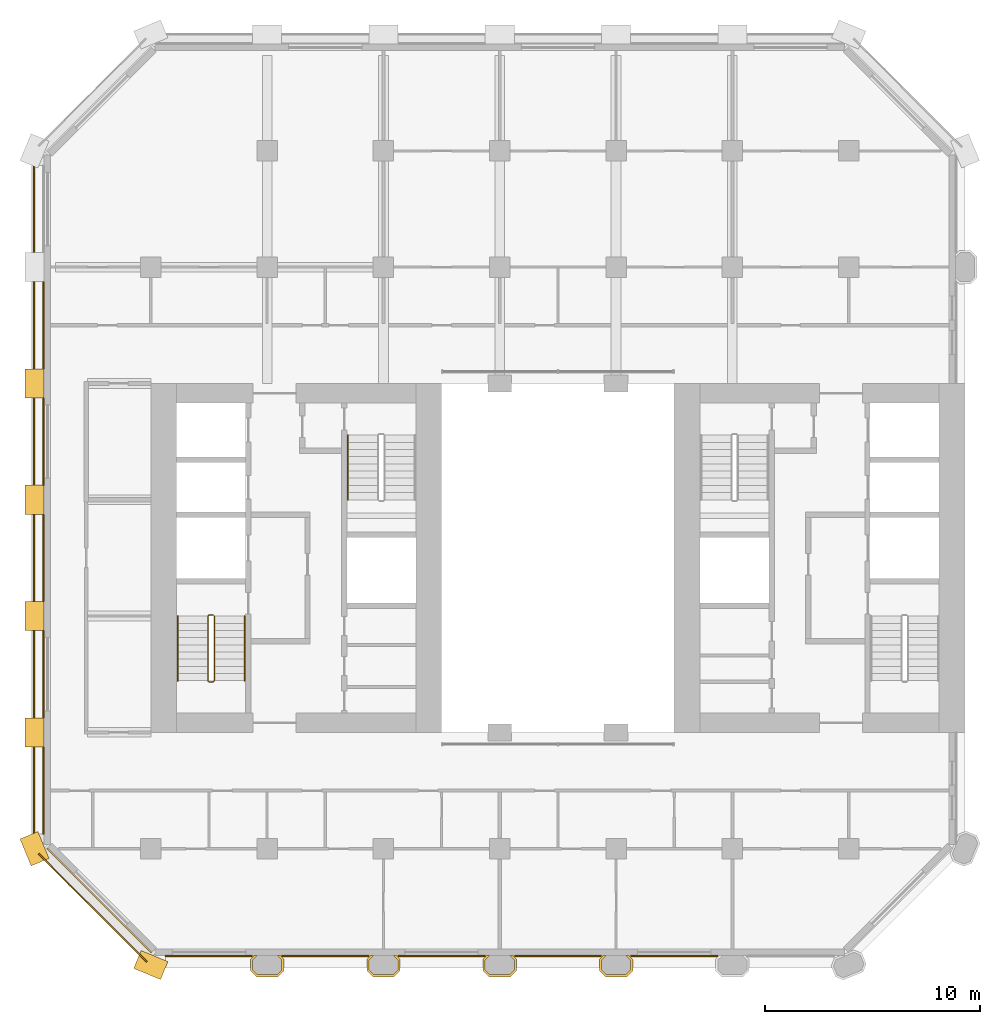
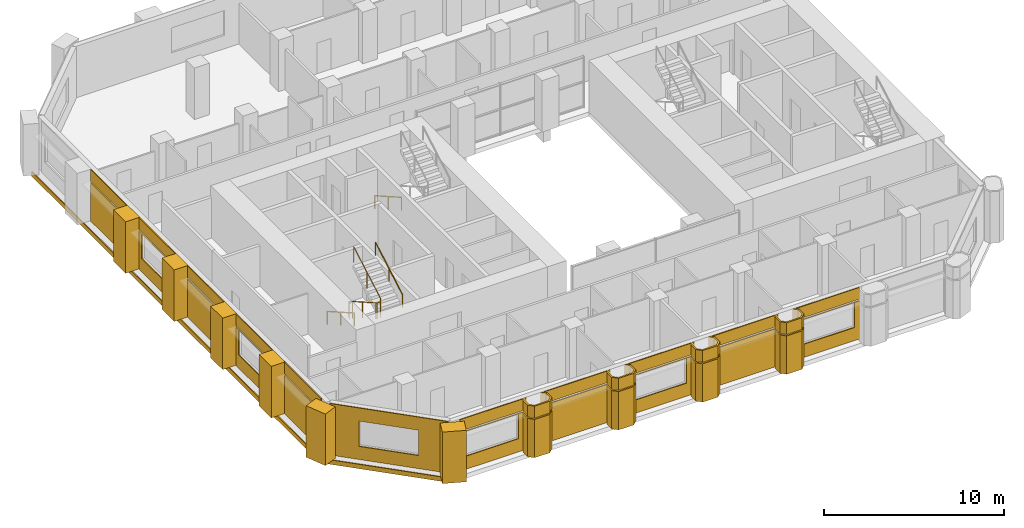
# One storey, part 11 of 13: 37 coverings, 4 railings.
"""IFC4 building model written with IfcOpenShell, lengths in metres."""

from ifc_helpers import new_model, si_unit, direction, frame, frame_2d, origin, origin_2d, place, context, subcontext, project, spatial, polyline, rectangle, circle, outline, extrude, material, layer, layer_set, type_object, element, save


model = new_model("IFC4")

# Units and contexts
model_context = context("Model", 3, precision=1e-05, world=origin(), true_north=direction((0.0, 1.0)))
body_context = subcontext(model_context, "Body", "Model", "MODEL_VIEW")
ifc_project = project(units=[si_unit("LENGTHUNIT", "METRE"), si_unit("AREAUNIT", "SQUARE_METRE"), si_unit("VOLUMEUNIT", "CUBIC_METRE"), si_unit("PLANEANGLEUNIT", "RADIAN"), si_unit("MASSUNIT", "GRAM", prefix="KILO")], contexts=[model_context])

# Site, building, storey
site_placement = place(None, origin())
site = spatial("IfcSite", under=ifc_project, at=site_placement, CompositionType="ELEMENT")
building_placement = place(site_placement, origin())
building = spatial("IfcBuilding", under=site, at=building_placement, Name="Tabaq Tower and Sports Hall", CompositionType="ELEMENT")
storey_placement = place(building_placement, frame((0.0, 0.0, 118.199951171875)))
storey = spatial("IfcBuildingStorey", under=building, at=storey_placement, Name="L28", CompositionType="ELEMENT", Elevation=118.199951171875)

# Coverings
ifc_material_1 = material(Name="Precast concrete C60/75", Category="concrete")
ifc_layer_1 = layer(ifc_material_1, 0.10009765625)
ifc_layer_set_1 = layer_set([ifc_layer_1], Name="Column cladding 100")
covering_type_1 = type_object("IfcCoveringType", Name="Column cladding 100", PredefinedType="CLADDING", material=ifc_layer_set_1)
covering_1_placement = place(storey_placement, origin())
element("IfcCovering", 1, at=covering_1_placement, inside=storey, type_object=covering_type_1, Name="Column cladding L28 PC-3B-O3", PredefinedType="CLADDING", context=body_context, shape_type="SweptSolid", body=[
    extrude(outline(polyline([(10.025390625, 5.666259765625), (10.208740234375, 5.849609375), (10.349365234375, 5.849609375), (10.124755859375, 5.625244140625), (10.124755859375, 5.1748046875), (10.349853515625, 4.94970703125), (11.250244140625, 4.94970703125), (11.475341796875, 5.1748046875), (11.475341796875, 5.625244140625), (11.250732421875, 5.849609375), (11.391357421875, 5.849609375), (11.57470703125, 5.666259765625), (11.57470703125, 5.1337890625), (11.291259765625, 4.850341796875), (10.30859375, 4.850341796875), (10.025390625, 5.1337890625), (10.025390625, 5.666259765625)])), origin(), (0.0, 0.0, 1.0), 2.60009765625),
])
covering_2_placement = place(storey_placement, frame((0.0, 0.0, 2.699951171875)))
element("IfcCovering", 2, at=covering_2_placement, inside=storey, type_object=covering_type_1, Name="Column cladding L28 PC-3B-O3 2", PredefinedType="CLADDING", context=body_context, shape_type="SweptSolid", body=[
    extrude(outline(polyline([(10.025390625, 5.666259765625), (10.208740234375, 5.849609375), (10.349365234375, 5.849609375), (10.124755859375, 5.625244140625), (10.124755859375, 5.1748046875), (10.349853515625, 4.94970703125), (11.250244140625, 4.94970703125), (11.475341796875, 5.1748046875), (11.475341796875, 5.625244140625), (11.250732421875, 5.849609375), (11.391357421875, 5.849609375), (11.57470703125, 5.666259765625), (11.57470703125, 5.1337890625), (11.291259765625, 4.850341796875), (10.30859375, 4.850341796875), (10.025390625, 5.1337890625), (10.025390625, 5.666259765625)])), origin(), (0.0, 0.0, 1.0), 0.800048828125),
])
covering_3_placement = place(storey_placement, origin())
element("IfcCovering", 3, at=covering_3_placement, inside=storey, type_object=covering_type_1, Name="Column cladding L28 PC-4B-O3", PredefinedType="CLADDING", context=body_context, shape_type="SweptSolid", body=[
    extrude(outline(polyline([(15.42529296875, 5.666259765625), (15.608642578125, 5.849609375), (15.749267578125, 5.849609375), (15.524658203125, 5.625244140625), (15.524658203125, 5.1748046875), (15.749755859375, 4.94970703125), (16.650146484375, 4.94970703125), (16.875244140625, 5.1748046875), (16.875244140625, 5.625244140625), (16.650634765625, 5.849609375), (16.791259765625, 5.849609375), (16.974609375, 5.666259765625), (16.974609375, 5.1337890625), (16.69140625, 4.850341796875), (15.708740234375, 4.850341796875), (15.42529296875, 5.1337890625), (15.42529296875, 5.666259765625)])), origin(), (0.0, 0.0, 1.0), 2.60009765625),
])
covering_4_placement = place(storey_placement, frame((0.0, 0.0, 2.699951171875)))
element("IfcCovering", 4, at=covering_4_placement, inside=storey, type_object=covering_type_1, Name="Column cladding L28 PC-4B-O3 2", PredefinedType="CLADDING", context=body_context, shape_type="SweptSolid", body=[
    extrude(outline(polyline([(15.42529296875, 5.666259765625), (15.608642578125, 5.849609375), (15.749267578125, 5.849609375), (15.524658203125, 5.625244140625), (15.524658203125, 5.1748046875), (15.749755859375, 4.94970703125), (16.650146484375, 4.94970703125), (16.875244140625, 5.1748046875), (16.875244140625, 5.625244140625), (16.650634765625, 5.849609375), (16.791259765625, 5.849609375), (16.974609375, 5.666259765625), (16.974609375, 5.1337890625), (16.69140625, 4.850341796875), (15.708740234375, 4.850341796875), (15.42529296875, 5.1337890625), (15.42529296875, 5.666259765625)])), origin(), (0.0, 0.0, 1.0), 0.800048828125),
])
covering_5_placement = place(storey_placement, origin())
element("IfcCovering", 5, at=covering_5_placement, inside=storey, type_object=covering_type_1, Name="Column cladding L28 PC-5B-O3", PredefinedType="CLADDING", context=body_context, shape_type="SweptSolid", body=[
    extrude(outline(polyline([(20.8251953125, 5.666259765625), (21.0087890625, 5.849609375), (21.149169921875, 5.849609375), (20.9248046875, 5.625244140625), (20.9248046875, 5.1748046875), (21.14990234375, 4.94970703125), (22.050048828125, 4.94970703125), (22.275390625, 5.1748046875), (22.275390625, 5.625244140625), (22.05078125, 5.849609375), (22.19140625, 5.849609375), (22.374755859375, 5.666259765625), (22.374755859375, 5.1337890625), (22.09130859375, 4.850341796875), (21.108642578125, 4.850341796875), (20.8251953125, 5.1337890625), (20.8251953125, 5.666259765625)])), origin(), (0.0, 0.0, 1.0), 2.60009765625),
])
covering_6_placement = place(storey_placement, frame((0.0, 0.0, 2.699951171875)))
element("IfcCovering", 6, at=covering_6_placement, inside=storey, type_object=covering_type_1, Name="Column cladding L28 PC-5B-O3 2", PredefinedType="CLADDING", context=body_context, shape_type="SweptSolid", body=[
    extrude(outline(polyline([(20.8251953125, 5.666259765625), (21.0087890625, 5.849609375), (21.149169921875, 5.849609375), (20.9248046875, 5.625244140625), (20.9248046875, 5.1748046875), (21.14990234375, 4.94970703125), (22.050048828125, 4.94970703125), (22.275390625, 5.1748046875), (22.275390625, 5.625244140625), (22.05078125, 5.849609375), (22.19140625, 5.849609375), (22.374755859375, 5.666259765625), (22.374755859375, 5.1337890625), (22.09130859375, 4.850341796875), (21.108642578125, 4.850341796875), (20.8251953125, 5.1337890625), (20.8251953125, 5.666259765625)])), origin(), (0.0, 0.0, 1.0), 0.800048828125),
])
covering_7_placement = place(storey_placement, origin())
element("IfcCovering", 7, at=covering_7_placement, inside=storey, type_object=covering_type_1, Name="Column cladding L28 PC-6B-O3", PredefinedType="CLADDING", context=body_context, shape_type="SweptSolid", body=[
    extrude(outline(polyline([(26.225341796875, 5.666259765625), (26.40869140625, 5.849609375), (26.54931640625, 5.849609375), (26.32470703125, 5.625244140625), (26.32470703125, 5.1748046875), (26.5498046875, 4.94970703125), (27.4501953125, 4.94970703125), (27.67529296875, 5.1748046875), (27.67529296875, 5.625244140625), (27.45068359375, 5.849609375), (27.59130859375, 5.849609375), (27.774658203125, 5.666259765625), (27.774658203125, 5.1337890625), (27.4912109375, 4.850341796875), (26.5087890625, 4.850341796875), (26.225341796875, 5.1337890625), (26.225341796875, 5.666259765625)])), origin(), (0.0, 0.0, 1.0), 2.60009765625),
])
covering_8_placement = place(storey_placement, frame((0.0, 0.0, 2.699951171875)))
element("IfcCovering", 8, at=covering_8_placement, inside=storey, type_object=covering_type_1, Name="Column cladding L28 PC-6B-O3 2", PredefinedType="CLADDING", context=body_context, shape_type="SweptSolid", body=[
    extrude(outline(polyline([(26.225341796875, 5.666259765625), (26.40869140625, 5.849609375), (26.54931640625, 5.849609375), (26.32470703125, 5.625244140625), (26.32470703125, 5.1748046875), (26.5498046875, 4.94970703125), (27.4501953125, 4.94970703125), (27.67529296875, 5.1748046875), (27.67529296875, 5.625244140625), (27.45068359375, 5.849609375), (27.59130859375, 5.849609375), (27.774658203125, 5.666259765625), (27.774658203125, 5.1337890625), (27.4912109375, 4.850341796875), (26.5087890625, 4.850341796875), (26.225341796875, 5.1337890625), (26.225341796875, 5.666259765625)])), origin(), (0.0, 0.0, 1.0), 0.800048828125),
])
ifc_material_2 = material(Name="Precast concrete C60/75", Category="concrete")
ifc_layer_2 = layer(ifc_material_2, 0.06005859375)
ifc_layer_set_2 = layer_set([ifc_layer_2], Name="Edge beam cladding 60")
covering_type_2 = type_object("IfcCoveringType", Name="Edge beam cladding 60", PredefinedType="CLADDING", material=ifc_layer_set_2)
covering_9_placement = place(storey_placement, frame((-0.030029296875, 42.9013671875, -0.300048828125), z_axis=(0.0, 0.0, 1.0), x_axis=(0.0, -1.0, 0.0)))
element("IfcCovering", 9, at=covering_9_placement, inside=storey, type_object=covering_type_2, Name="Edge beam cladding L28 4", PredefinedType="CLADDING", context=body_context, shape_type="SweptSolid", body=[
    extrude(rectangle(XDim=31.802734375, YDim=0.06005859375, at=frame_2d((15.9013671875, 0.0))), origin(), (0.0, 0.0, 1.0), 0.300048828125),
])
covering_10_placement = place(storey_placement, frame((0.18994140625, 10.567626953125, -0.300048828125), z_axis=(0.0, 0.0, 1.0), x_axis=(0.707106781187, -0.707106781187, 0.0)))
element("IfcCovering", 10, at=covering_10_placement, inside=storey, type_object=covering_type_2, Name="Edge beam cladding L28 5", PredefinedType="CLADDING", context=body_context, shape_type="SweptSolid", body=[
    extrude(rectangle(XDim=7.087890625, YDim=0.06005859375, at=frame_2d((3.5439453125, 0.0))), origin(), (0.0, 0.0, 1.0), 0.300048828125),
])
ifc_material_3 = material(Name="White precast concrete C60/75", Category="concrete")
covering_type_3 = type_object("IfcCoveringType", Name="Pier cladding hung 1350x900", PredefinedType="CLADDING", material=ifc_material_3)
for number, where, z_axis, x_axis, name in (
    (11, (-0.25830078125, 11.423583984375, 0.0), (0.0, 0.0, 1.0), (0.382649923473, -0.923893411637, 0.0), "Hung pier cladding 0/2"),
    (12, (0.0, 16.875, 0.0), (0.0, 0.0, 1.0), (0.0, -1.0, 0.0), "Hung pier cladding 0/3"),
):
    element("IfcCovering", number, at=place(storey_placement, frame(where, z_axis=z_axis, x_axis=x_axis)), inside=storey, type_object=covering_type_3, Name=name, PredefinedType="CLADDING", context=body_context, shape_type="SweptSolid", body=[
        extrude(rectangle(XDim=1.35009765625, YDim=0.89990234375, at=frame_2d((0.675048828125, 0.0))), origin(), (0.0, 0.0, 1.0), 3.5),
    ])
covering_11_placement = place(storey_placement, frame((0.0, 22.27490234375, 0.0), z_axis=(0.0, 0.0, 1.0), x_axis=(0.0, -1.0, 0.0)))
element("IfcCovering", 13, at=covering_11_placement, inside=storey, type_object=covering_type_3, Name="Hung pier cladding 0/4", PredefinedType="CLADDING", context=body_context, shape_type="SweptSolid", body=[
    extrude(rectangle(XDim=1.349853515625, YDim=0.89990234375, at=frame_2d((0.6748046875, 0.0))), origin(), (0.0, 0.0, 1.0), 3.5),
])
covering_12_placement = place(storey_placement, frame((0.0, 27.675048828125, 0.0), z_axis=(0.0, 0.0, 1.0), x_axis=(0.0, -1.0, 0.0)))
element("IfcCovering", 14, at=covering_12_placement, inside=storey, type_object=covering_type_3, Name="Hung pier cladding 0/5", PredefinedType="CLADDING", context=body_context, shape_type="SweptSolid", body=[
    extrude(rectangle(XDim=1.35009765625, YDim=0.89990234375, at=frame_2d((0.675048828125, 0.0))), origin(), (0.0, 0.0, 1.0), 3.5),
])
covering_13_placement = place(storey_placement, frame((0.0, 33.074951171875, 0.0), z_axis=(0.0, 0.0, 1.0), x_axis=(0.0, -1.0, 0.0)))
element("IfcCovering", 15, at=covering_13_placement, inside=storey, type_object=covering_type_3, Name="Hung pier cladding 0/6", PredefinedType="CLADDING", context=body_context, shape_type="SweptSolid", body=[
    extrude(rectangle(XDim=1.349853515625, YDim=0.89990234375, at=frame_2d((0.6748046875, 0.0))), origin(), (0.0, 0.0, 1.0), 3.5),
])
covering_14_placement = place(storey_placement, frame((4.7763671875, 5.658203125, 0.0), z_axis=(0.0, 0.0, 1.0), x_axis=(0.923893411637, -0.382649923473, 0.0)))
element("IfcCovering", 16, at=covering_14_placement, inside=storey, type_object=covering_type_3, Name="Hung pier cladding 1/1", PredefinedType="CLADDING", context=body_context, shape_type="SweptSolid", body=[
    extrude(rectangle(XDim=1.35009765625, YDim=0.89990234375, at=frame_2d((0.675048828125, 0.0))), origin(), (0.0, 0.0, 1.0), 3.5),
])

# Railings
ifc_material_4 = material(Name="Stainless steel", Category="steel")
railing_type_1 = type_object("IfcRailingType", Name="Stair guard", PredefinedType="GUARDRAIL", material=ifc_material_4)
railing_1_placement = place(storey_placement, frame((8.300048828125, 21.64990234375, 0.0)))
element("IfcRailing", 17, at=railing_1_placement, inside=storey, type_object=railing_type_1, Name="L28 ST1 stair guard 1", PredefinedType="GUARDRAIL", context=body_context, shape_type="SweptSolid", body=[
    extrude(circle(Radius=0.02392578125, at=origin_2d()), frame((0.0, 0.0, 1.076171875), z_axis=(-1.0, 0.0, 0.0), x_axis=(0.0, -1.0, 0.0)), (0.0, 0.0, 1.0), 0.199951171875),
    extrude(circle(Radius=0.02392578125, at=origin_2d()), frame((-0.199951171875, 0.0, 1.076171875), z_axis=(-0.246983470365, -0.245778672949, 0.937332389972), x_axis=(0.705375805398, -0.708833529934, 0.0)), (0.0, 0.0, 1.0), 0.20263671875),
    extrude(circle(Radius=0.02392578125, at=origin_2d()), frame((-0.25, -0.0498046875, 1.26611328125), z_axis=(0.0, -0.868751719353, 0.495247867356), x_axis=(1.0, 0.0, 0.0)), (0.0, 0.0, 1.0), 3.453125),
    extrude(circle(Radius=0.02392578125, at=origin_2d()), frame((-0.25, -3.0498046875, 2.97607421875), z_axis=(0.707106781187, -0.707106781187, 0.0), x_axis=(0.707106781187, 0.707106781187, 0.0)), (0.0, 0.0, 1.0), 0.07080078125),
    extrude(circle(Radius=0.02392578125, at=origin_2d()), frame((-0.199951171875, -3.099853515625, 2.97607421875), z_axis=(1.0, 0.0, 0.0), x_axis=(0.0, 1.0, 0.0)), (0.0, 0.0, 1.0), 0.199951171875),
    extrude(circle(Radius=0.02392578125, at=origin_2d()), frame((0.0, -3.099853515625, 2.97607421875), z_axis=(0.246910188598, 0.246910188598, 0.937054276727), x_axis=(-0.707106781187, 0.707106781187, 0.0)), (0.0, 0.0, 1.0), 0.20263671875),
    extrude(circle(Radius=0.02392578125, at=origin_2d()), frame((0.050048828125, -3.0498046875, 3.166015625), z_axis=(0.0, 0.868782136927, 0.495194505781), x_axis=(-1.0, 0.0, 0.0)), (0.0, 0.0, 1.0), 3.453125),
    extrude(circle(Radius=0.02099609375, at=origin_2d()), origin(), (0.0, 0.0, 1.0), 1.052001953125),
    extrude(circle(Radius=0.02099609375, at=origin_2d()), frame((-0.199951171875, 0.0, 0.0)), (0.0, 0.0, 1.0), 1.052001953125),
    extrude(circle(Radius=0.02099609375, at=origin_2d()), frame((-0.25, -0.0498046875, 0.18994140625)), (0.0, 0.0, 1.0), 1.052001953125),
    extrude(circle(Radius=0.02099609375, at=origin_2d()), frame((-0.25, -1.5498046875, 1.044921875)), (0.0, 0.0, 1.0), 1.052001953125),
    extrude(circle(Radius=0.02099609375, at=origin_2d()), frame((-0.25, -3.0498046875, 1.900146484375)), (0.0, 0.0, 1.0), 1.052001953125),
    extrude(circle(Radius=0.02099609375, at=origin_2d()), frame((-0.199951171875, -3.099853515625, 1.900146484375)), (0.0, 0.0, 1.0), 1.052001953125),
    extrude(circle(Radius=0.02099609375, at=origin_2d()), frame((0.0, -3.099853515625, 1.900146484375)), (0.0, 0.0, 1.0), 1.052001953125),
    extrude(circle(Radius=0.02099609375, at=origin_2d()), frame((0.050048828125, -3.0498046875, 2.090087890625)), (0.0, 0.0, 1.0), 1.052001953125),
    extrude(circle(Radius=0.02099609375, at=origin_2d()), frame((0.050048828125, -1.5498046875, 2.945068359375)), (0.0, 0.0, 1.0), 1.052001953125),
    extrude(circle(Radius=0.02099609375, at=origin_2d()), frame((0.050048828125, -0.0498046875, 3.800048828125)), (0.0, 0.0, 1.0), 1.052001953125),
])
ifc_material_5 = material(Name="Stainless steel", Category="steel")
railing_type_2 = type_object("IfcRailingType", Name="Stair handrail", PredefinedType="HANDRAIL", material=ifc_material_5)
railing_2_placement = place(storey_placement, frame((6.64990234375, 21.60009765625, 0.18994140625)))
element("IfcRailing", 18, at=railing_2_placement, inside=storey, type_object=railing_type_2, Name="L28 ST1 stair handrail 1", PredefinedType="HANDRAIL", context=body_context, shape_type="SweptSolid", body=[
    extrude(circle(Radius=0.02392578125, at=origin_2d()), frame((0.0, 0.0, 0.8759765625), z_axis=(0.0, -0.868751719353, 0.495247867356), x_axis=(1.0, 0.0, 0.0)), (0.0, 0.0, 1.0), 3.453125),
    extrude(circle(Radius=0.02099609375, at=origin_2d()), origin(), (0.0, 0.0, 1.0), 0.851806640625),
    extrude(circle(Radius=0.02099609375, at=origin_2d()), frame((0.0, -1.5, 0.85498046875)), (0.0, 0.0, 1.0), 0.851806640625),
    extrude(circle(Radius=0.02099609375, at=origin_2d()), frame((0.0, -3.0, 1.710205078125)), (0.0, 0.0, 1.0), 0.851806640625),
])
railing_3_placement = place(storey_placement, frame((9.75, 18.60009765625, 2.090087890625)))
element("IfcRailing", 19, at=railing_3_placement, inside=storey, type_object=railing_type_2, Name="L28 ST1 stair handrail 2", PredefinedType="HANDRAIL", context=body_context, shape_type="SweptSolid", body=[
    extrude(circle(Radius=0.02392578125, at=origin_2d()), frame((0.0, 0.0, 0.8759765625), z_axis=(0.0, 0.868782136927, 0.495194505781), x_axis=(-1.0, 0.0, 0.0)), (0.0, 0.0, 1.0), 3.453125),
    extrude(circle(Radius=0.02099609375, at=origin_2d()), origin(), (0.0, 0.0, 1.0), 0.851806640625),
    extrude(circle(Radius=0.02099609375, at=origin_2d()), frame((0.0, 1.5, 0.85498046875)), (0.0, 0.0, 1.0), 0.851806640625),
    extrude(circle(Radius=0.02099609375, at=origin_2d()), frame((0.0, 3.0, 1.7099609375)), (0.0, 0.0, 1.0), 0.851806640625),
])
railing_4_placement = place(storey_placement, frame((14.550048828125, 30.0, 0.18994140625)))
element("IfcRailing", 20, at=railing_4_placement, inside=storey, type_object=railing_type_2, Name="L28 ST2 stair handrail 1", PredefinedType="HANDRAIL", context=body_context, shape_type="SweptSolid", body=[
    extrude(circle(Radius=0.02392578125, at=origin_2d()), frame((0.0, 0.0, 0.8759765625), z_axis=(0.0, -0.868751719353, 0.495247867356), x_axis=(1.0, 0.0, 0.0)), (0.0, 0.0, 1.0), 3.453125),
    extrude(circle(Radius=0.02099609375, at=origin_2d()), origin(), (0.0, 0.0, 1.0), 0.851806640625),
    extrude(circle(Radius=0.02099609375, at=origin_2d()), frame((0.0, -1.5, 0.85498046875)), (0.0, 0.0, 1.0), 0.851806640625),
    extrude(circle(Radius=0.02099609375, at=origin_2d()), frame((0.0, -3.0, 1.710205078125)), (0.0, 0.0, 1.0), 0.851806640625),
])

# Coverings
ifc_material_6 = material(Name="Precast concrete C60/75", Category="concrete")
ifc_layer_3 = layer(ifc_material_6, 0.06005859375)
ifc_layer_set_3 = layer_set([ifc_layer_3], Name="White precast cladding panel 60 C60/75")
covering_type_4 = type_object("IfcCoveringType", Name="White precast cladding panel 60 C60/75", PredefinedType="CLADDING", material=ifc_layer_set_3)
covering_15_placement = place(storey_placement, frame((6.06494140625, 5.820068359375, 0.0), z_axis=(0.0, 0.0, 1.0), x_axis=(1.0, 0.0, 0.0)))
element("IfcCovering", 21, at=covering_15_placement, inside=storey, type_object=covering_type_4, Name="White precast cladding panel L28 wall00", PredefinedType="CLADDING", context=body_context, shape_type="SweptSolid", body=[
    extrude(outline(polyline([(0.0, 0.0), (4.050048828125, 0.0), (4.050048828125, 2.590087890625), (0.0, 2.590087890625), (0.0, 0.0)]), holes=[polyline([(3.7451171875, 0.89013671875), (0.324951171875, 0.89013671875), (0.324951171875, 2.56005859375), (3.7451171875, 2.56005859375), (3.7451171875, 0.89013671875)])]), frame((0.0, 0.030029296875, 0.0), z_axis=(0.0, -1.0, 0.0), x_axis=(1.0, 0.0, 0.0)), (0.0, 0.0, 1.0), 0.06005859375),
])
covering_16_placement = place(storey_placement, frame((6.06494140625, 5.820068359375, 2.7099609375), z_axis=(0.0, 0.0, 1.0), x_axis=(1.0, 0.0, 0.0)))
element("IfcCovering", 22, at=covering_16_placement, inside=storey, type_object=covering_type_4, Name="White precast cladding panel L28 wall00 2", PredefinedType="CLADDING", context=body_context, shape_type="SweptSolid", body=[
    extrude(rectangle(XDim=4.050048828125, YDim=0.06005859375, at=frame_2d((2.02490234375, 0.0))), origin(), (0.0, 0.0, 1.0), 0.7900390625),
])
covering_17_placement = place(storey_placement, frame((11.485107421875, 5.820068359375, 0.0), z_axis=(0.0, 0.0, 1.0), x_axis=(1.0, 0.0, 0.0)))
element("IfcCovering", 23, at=covering_17_placement, inside=storey, type_object=covering_type_4, Name="White precast cladding panel L28 wall00 3", PredefinedType="CLADDING", context=body_context, shape_type="SweptSolid", body=[
    extrude(rectangle(XDim=4.02978515625, YDim=0.06005859375, at=frame_2d((2.014892578125, 0.0))), origin(), (0.0, 0.0, 1.0), 2.590087890625),
])
covering_18_placement = place(storey_placement, frame((11.485107421875, 5.820068359375, 2.7099609375), z_axis=(0.0, 0.0, 1.0), x_axis=(1.0, 0.0, 0.0)))
element("IfcCovering", 24, at=covering_18_placement, inside=storey, type_object=covering_type_4, Name="White precast cladding panel L28 wall00 4", PredefinedType="CLADDING", context=body_context, shape_type="SweptSolid", body=[
    extrude(rectangle(XDim=4.02978515625, YDim=0.06005859375, at=frame_2d((2.014892578125, 0.0))), origin(), (0.0, 0.0, 1.0), 0.7900390625),
])
covering_19_placement = place(storey_placement, frame((16.885009765625, 5.820068359375, 0.0), z_axis=(0.0, 0.0, 1.0), x_axis=(1.0, 0.0, 0.0)))
element("IfcCovering", 25, at=covering_19_placement, inside=storey, type_object=covering_type_4, Name="White precast cladding panel L28 wall00 5", PredefinedType="CLADDING", context=body_context, shape_type="SweptSolid", body=[
    extrude(outline(polyline([(0.0, 0.0), (4.030029296875, 0.0), (4.030029296875, 2.590087890625), (0.0, 2.590087890625), (0.0, 0.0)]), holes=[polyline([(3.72509765625, 0.89013671875), (0.304931640625, 0.89013671875), (0.304931640625, 2.56005859375), (3.72509765625, 2.56005859375), (3.72509765625, 0.89013671875)])]), frame((0.0, 0.030029296875, 0.0), z_axis=(0.0, -1.0, 0.0), x_axis=(1.0, 0.0, 0.0)), (0.0, 0.0, 1.0), 0.06005859375),
])
covering_20_placement = place(storey_placement, frame((16.885009765625, 5.820068359375, 2.7099609375), z_axis=(0.0, 0.0, 1.0), x_axis=(1.0, 0.0, 0.0)))
element("IfcCovering", 26, at=covering_20_placement, inside=storey, type_object=covering_type_4, Name="White precast cladding panel L28 wall00 6", PredefinedType="CLADDING", context=body_context, shape_type="SweptSolid", body=[
    extrude(rectangle(XDim=4.030029296875, YDim=0.06005859375, at=frame_2d((2.01513671875, 0.0))), origin(), (0.0, 0.0, 1.0), 0.7900390625),
])
covering_21_placement = place(storey_placement, frame((22.284912109375, 5.820068359375, 0.0), z_axis=(0.0, 0.0, 1.0), x_axis=(1.0, 0.0, 0.0)))
element("IfcCovering", 27, at=covering_21_placement, inside=storey, type_object=covering_type_4, Name="White precast cladding panel L28 wall00 7", PredefinedType="CLADDING", context=body_context, shape_type="SweptSolid", body=[
    extrude(rectangle(XDim=4.030029296875, YDim=0.06005859375, at=frame_2d((2.01513671875, 0.0))), origin(), (0.0, 0.0, 1.0), 2.590087890625),
])
covering_22_placement = place(storey_placement, frame((22.284912109375, 5.820068359375, 2.7099609375), z_axis=(0.0, 0.0, 1.0), x_axis=(1.0, 0.0, 0.0)))
element("IfcCovering", 28, at=covering_22_placement, inside=storey, type_object=covering_type_4, Name="White precast cladding panel L28 wall00 8", PredefinedType="CLADDING", context=body_context, shape_type="SweptSolid", body=[
    extrude(rectangle(XDim=4.030029296875, YDim=0.06005859375, at=frame_2d((2.01513671875, 0.0))), origin(), (0.0, 0.0, 1.0), 0.7900390625),
])
covering_23_placement = place(storey_placement, frame((27.68505859375, 5.820068359375, 0.0), z_axis=(0.0, 0.0, 1.0), x_axis=(1.0, 0.0, 0.0)))
element("IfcCovering", 29, at=covering_23_placement, inside=storey, type_object=covering_type_4, Name="White precast cladding panel L28 wall00 9", PredefinedType="CLADDING", context=body_context, shape_type="SweptSolid", body=[
    extrude(outline(polyline([(0.0, 0.0), (4.030029296875, 0.0), (4.030029296875, 2.590087890625), (0.0, 2.590087890625), (0.0, 0.0)]), holes=[polyline([(3.72509765625, 0.89013671875), (0.304931640625, 0.89013671875), (0.304931640625, 2.56005859375), (3.72509765625, 2.56005859375), (3.72509765625, 0.89013671875)])]), frame((0.0, 0.030029296875, 0.0), z_axis=(0.0, -1.0, 0.0), x_axis=(1.0, 0.0, 0.0)), (0.0, 0.0, 1.0), 0.06005859375),
])
covering_24_placement = place(storey_placement, frame((27.68505859375, 5.820068359375, 2.7099609375), z_axis=(0.0, 0.0, 1.0), x_axis=(1.0, 0.0, 0.0)))
element("IfcCovering", 30, at=covering_24_placement, inside=storey, type_object=covering_type_4, Name="White precast cladding panel L28 wall00 10", PredefinedType="CLADDING", context=body_context, shape_type="SweptSolid", body=[
    extrude(rectangle(XDim=4.030029296875, YDim=0.06005859375, at=frame_2d((2.01513671875, 0.0))), origin(), (0.0, 0.0, 1.0), 0.7900390625),
])
covering_25_placement = place(storey_placement, frame((0.419921875, 37.114990234375, 0.0), z_axis=(0.0, 0.0, 1.0), x_axis=(0.0, -1.0, 0.0)))
element("IfcCovering", 31, at=covering_25_placement, inside=storey, type_object=covering_type_4, Name="White precast cladding panel L28 wall06 3", PredefinedType="CLADDING", context=body_context, shape_type="SweptSolid", body=[
    extrude(rectangle(XDim=4.030029296875, YDim=0.06005859375, at=frame_2d((2.01513671875, 0.0))), origin(), (0.0, 0.0, 1.0), 2.590087890625),
])
covering_26_placement = place(storey_placement, frame((0.419921875, 37.114990234375, 2.7099609375), z_axis=(0.0, 0.0, 1.0), x_axis=(0.0, -1.0, 0.0)))
element("IfcCovering", 32, at=covering_26_placement, inside=storey, type_object=covering_type_4, Name="White precast cladding panel L28 wall06 4", PredefinedType="CLADDING", context=body_context, shape_type="SweptSolid", body=[
    extrude(rectangle(XDim=4.030029296875, YDim=0.06005859375, at=frame_2d((2.01513671875, 0.0))), origin(), (0.0, 0.0, 1.0), 0.7900390625),
])
covering_27_placement = place(storey_placement, frame((0.419921875, 31.715087890625, 0.0), z_axis=(0.0, 0.0, 1.0), x_axis=(0.0, -1.0, 0.0)))
element("IfcCovering", 33, at=covering_27_placement, inside=storey, type_object=covering_type_4, Name="White precast cladding panel L28 wall06 5", PredefinedType="CLADDING", context=body_context, shape_type="SweptSolid", body=[
    extrude(outline(polyline([(0.0, 0.0), (4.030029296875, 0.0), (4.030029296875, 2.590087890625), (0.0, 2.590087890625), (0.0, 0.0)]), holes=[polyline([(3.72509765625, 0.89013671875), (0.304931640625, 0.89013671875), (0.304931640625, 2.56005859375), (3.72509765625, 2.56005859375), (3.72509765625, 0.89013671875)])]), frame((0.0, 0.030029296875, 0.0), z_axis=(0.0, -1.0, 0.0), x_axis=(1.0, 0.0, 0.0)), (0.0, 0.0, 1.0), 0.06005859375),
])
covering_28_placement = place(storey_placement, frame((0.419921875, 31.715087890625, 2.7099609375), z_axis=(0.0, 0.0, 1.0), x_axis=(0.0, -1.0, 0.0)))
element("IfcCovering", 34, at=covering_28_placement, inside=storey, type_object=covering_type_4, Name="White precast cladding panel L28 wall06 6", PredefinedType="CLADDING", context=body_context, shape_type="SweptSolid", body=[
    extrude(rectangle(XDim=4.030029296875, YDim=0.06005859375, at=frame_2d((2.01513671875, 0.0))), origin(), (0.0, 0.0, 1.0), 0.7900390625),
])
covering_29_placement = place(storey_placement, frame((0.419921875, 26.31494140625, 0.0), z_axis=(0.0, 0.0, 1.0), x_axis=(0.0, -1.0, 0.0)))
element("IfcCovering", 35, at=covering_29_placement, inside=storey, type_object=covering_type_4, Name="White precast cladding panel L28 wall06 7", PredefinedType="CLADDING", context=body_context, shape_type="SweptSolid", body=[
    extrude(rectangle(XDim=4.030029296875, YDim=0.06005859375, at=frame_2d((2.01513671875, 0.0))), origin(), (0.0, 0.0, 1.0), 2.590087890625),
])
covering_30_placement = place(storey_placement, frame((0.419921875, 26.31494140625, 2.7099609375), z_axis=(0.0, 0.0, 1.0), x_axis=(0.0, -1.0, 0.0)))
element("IfcCovering", 36, at=covering_30_placement, inside=storey, type_object=covering_type_4, Name="White precast cladding panel L28 wall06 8", PredefinedType="CLADDING", context=body_context, shape_type="SweptSolid", body=[
    extrude(rectangle(XDim=4.030029296875, YDim=0.06005859375, at=frame_2d((2.01513671875, 0.0))), origin(), (0.0, 0.0, 1.0), 0.7900390625),
])
covering_31_placement = place(storey_placement, frame((0.419921875, 20.9150390625, 0.0), z_axis=(0.0, 0.0, 1.0), x_axis=(0.0, -1.0, 0.0)))
element("IfcCovering", 37, at=covering_31_placement, inside=storey, type_object=covering_type_4, Name="White precast cladding panel L28 wall06 9", PredefinedType="CLADDING", context=body_context, shape_type="SweptSolid", body=[
    extrude(outline(polyline([(0.0, 0.0), (4.030029296875, 0.0), (4.030029296875, 2.590087890625), (0.0, 2.590087890625), (0.0, 0.0)]), holes=[polyline([(3.72509765625, 0.89013671875), (0.304931640625, 0.89013671875), (0.304931640625, 2.56005859375), (3.72509765625, 2.56005859375), (3.72509765625, 0.89013671875)])]), frame((0.0, 0.030029296875, 0.0), z_axis=(0.0, -1.0, 0.0), x_axis=(1.0, 0.0, 0.0)), (0.0, 0.0, 1.0), 0.06005859375),
])
covering_32_placement = place(storey_placement, frame((0.419921875, 20.9150390625, 2.7099609375), z_axis=(0.0, 0.0, 1.0), x_axis=(0.0, -1.0, 0.0)))
element("IfcCovering", 38, at=covering_32_placement, inside=storey, type_object=covering_type_4, Name="White precast cladding panel L28 wall06 10", PredefinedType="CLADDING", context=body_context, shape_type="SweptSolid", body=[
    extrude(rectangle(XDim=4.030029296875, YDim=0.06005859375, at=frame_2d((2.01513671875, 0.0))), origin(), (0.0, 0.0, 1.0), 0.7900390625),
])
covering_33_placement = place(storey_placement, frame((0.419921875, 15.514892578125, 0.0), z_axis=(0.0, 0.0, 1.0), x_axis=(0.0, -1.0, 0.0)))
element("IfcCovering", 39, at=covering_33_placement, inside=storey, type_object=covering_type_4, Name="White precast cladding panel L28 wall06 11", PredefinedType="CLADDING", context=body_context, shape_type="SweptSolid", body=[
    extrude(rectangle(XDim=4.0498046875, YDim=0.06005859375, at=frame_2d((2.02490234375, 0.0))), origin(), (0.0, 0.0, 1.0), 2.590087890625),
])
covering_34_placement = place(storey_placement, frame((0.419921875, 15.514892578125, 2.7099609375), z_axis=(0.0, 0.0, 1.0), x_axis=(0.0, -1.0, 0.0)))
element("IfcCovering", 40, at=covering_34_placement, inside=storey, type_object=covering_type_4, Name="White precast cladding panel L28 wall06 12", PredefinedType="CLADDING", context=body_context, shape_type="SweptSolid", body=[
    extrude(rectangle(XDim=4.0498046875, YDim=0.06005859375, at=frame_2d((2.02490234375, 0.0))), origin(), (0.0, 0.0, 1.0), 0.7900390625),
])
covering_35_placement = place(storey_placement, frame((0.57177734375, 10.822265625, 0.0), z_axis=(0.0, 0.0, 1.0), x_axis=(0.707106781187, -0.707106781187, 0.0)))
element("IfcCovering", 41, at=covering_35_placement, inside=storey, type_object=covering_type_4, Name="White precast cladding panel L28 wall07", PredefinedType="CLADDING", context=body_context, shape_type="SweptSolid", body=[
    extrude(outline(polyline([(0.0, 0.0), (6.85986328125, 0.0), (6.85986328125, 3.5), (0.0, 3.5), (0.0, 0.0)]), holes=[polyline([(1.7197265625, 0.89013671875), (1.7197265625, 2.610107421875), (5.139892578125, 2.610107421875), (5.139892578125, 0.89013671875), (1.7197265625, 0.89013671875)])]), frame((0.0, 0.030029296875, 0.0), z_axis=(0.0, -1.0, 0.0), x_axis=(1.0, 0.0, 0.0)), (0.0, 0.0, 1.0), 0.06005859375),
])

save(model, "model.ifc")
